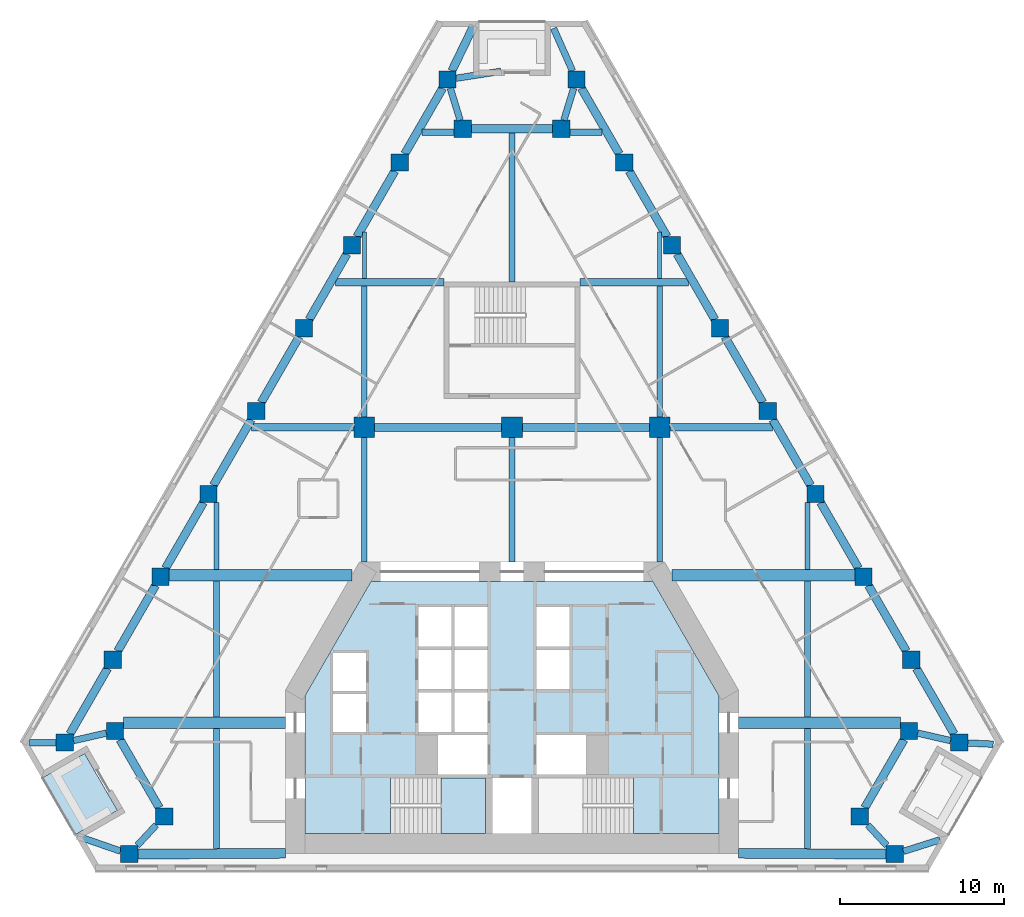
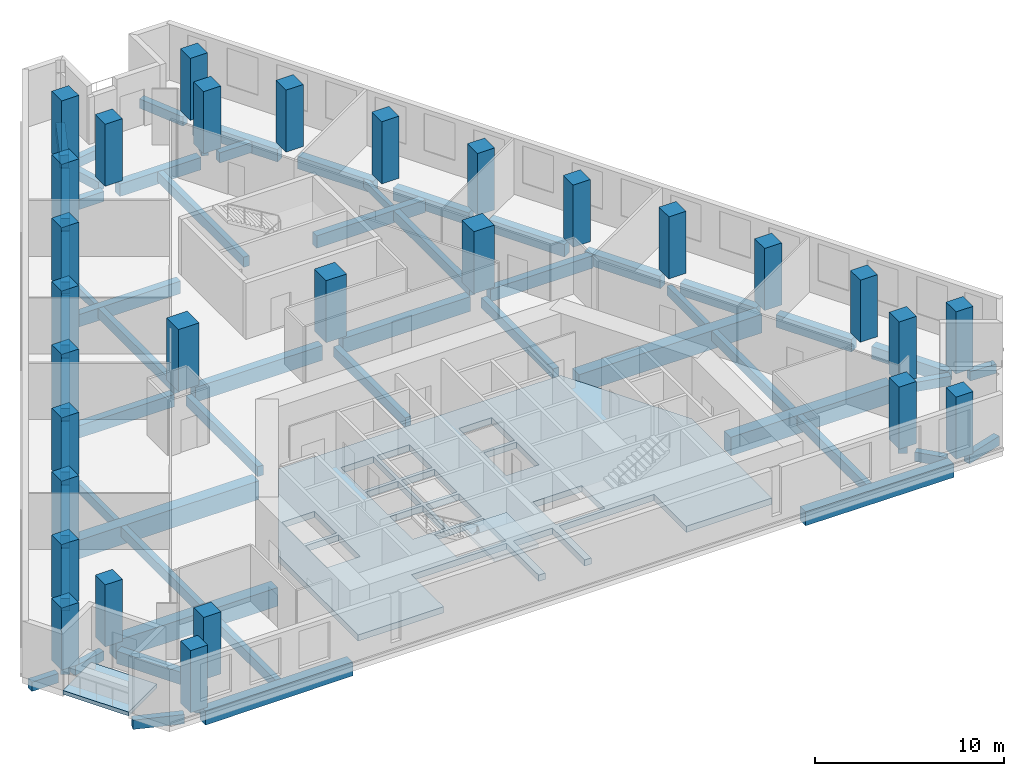
# One storey, part 1 of 10: 60 beams, 29 columns, 3 slabs, 1 element without a shape of its own.
"""IFC4 building model written with IfcOpenShell, lengths in metres."""

from ifc_helpers import new_model, si_unit, direction, frame, origin, origin_2d, place, context, subcontext, project, spatial, polyline, rectangle, outline, extrude, material, layer, layer_set, material_profile, profile_set, type_object, element, aggregate, save


model = new_model("IFC4")

# Units and contexts
model_context = context("Model", 3, precision=1e-05, world=origin(), true_north=direction((0.0, 1.0)))
body_context = subcontext(model_context, "Body", "Model", "MODEL_VIEW")
ifc_project = project(units=[si_unit("LENGTHUNIT", "METRE"), si_unit("AREAUNIT", "SQUARE_METRE"), si_unit("VOLUMEUNIT", "CUBIC_METRE"), si_unit("PLANEANGLEUNIT", "RADIAN"), si_unit("MASSUNIT", "GRAM", prefix="KILO")], contexts=[model_context])

# Site, building, storey
site_placement = place(None, origin())
site = spatial("IfcSite", under=ifc_project, at=site_placement, CompositionType="ELEMENT")
building_placement = place(site_placement, origin())
building = spatial("IfcBuilding", under=site, at=building_placement, Name="Fogline Exchange Tower", CompositionType="ELEMENT")
storey_placement = place(building_placement, frame((0.0, 0.0, 128.10009765625)))
storey = spatial("IfcBuildingStorey", under=building, at=storey_placement, Name="L28", CompositionType="ELEMENT", Elevation=128.10009765625)

# Columns
ifc_material_1 = material(Name="Concrete C70", Category="concrete")
ifc_material_profile_1 = material_profile(ifc_material_1, rectangle(XDim=1.25, YDim=1.25, at=origin_2d()), Name="RC 1250x1250")
ifc_profile_set_1 = profile_set([ifc_material_profile_1], Name="Concrete C70")
column_type_1 = type_object("IfcColumnType", Name="C03", PredefinedType="COLUMN", material=ifc_profile_set_1)
for number, where, z_axis, x_axis, name in (
    (1, (-9.0, 27.0, 0.0), (0.0, 0.0, 1.0), (1.0, 0.0, 0.0), "IC--9-27"),
    (2, (0.0, 27.0, 0.0), (0.0, 0.0, 1.0), (1.0, 0.0, 0.0), "IC-0-27"),
    (3, (9.0, 27.0, 0.0), (0.0, 0.0, 1.0), (1.0, 0.0, 0.0), "IC-9-27"),
):
    element("IfcColumn", number, at=place(storey_placement, frame(where, z_axis=z_axis, x_axis=x_axis)), inside=storey, type_object=column_type_1, Name=name, PredefinedType="COLUMN", context=body_context, shape_type="SweptSolid", body=[
        extrude(rectangle(XDim=1.25, YDim=1.25, at=origin_2d()), origin(), (0.0, 0.0, 1.0), 4.0),
    ])
ifc_material_profile_2 = material_profile(ifc_material_1, rectangle(XDim=1.050048828125, YDim=1.050048828125, at=origin_2d()), Name="RC 1050x1050")
ifc_profile_set_2 = profile_set([ifc_material_profile_2], Name="Concrete C70")
column_type_2 = type_object("IfcColumnType", Name="C04", PredefinedType="COLUMN", material=ifc_profile_set_2)
for number, where, z_axis, x_axis, name in (
    (4, (-27.2490234375, 7.794189453125, 0.0), (0.0, 0.0, 1.0), (1.0, 0.0, 0.0), "SW-a"),
    (5, (-24.189697265625, 8.4951171875, 0.0), (0.0, 0.0, 1.0), (1.0, 0.0, 0.0), "SW-p4"),
    (6, (-21.189697265625, 3.299072265625, 0.0), (0.0, 0.0, 1.0), (1.0, 0.0, 0.0), "SW-p3"),
    (7, (-23.326416015625, 1.0, 0.0), (0.0, 0.0, 1.0), (1.0, 0.0, 0.0), "SW-b"),
    (8, (23.326416015625, 1.0, 0.0), (0.0, 0.0, 1.0), (1.0, 0.0, 0.0), "SE-a"),
    (9, (21.189697265625, 3.299072265625, 0.0), (0.0, 0.0, 1.0), (1.0, 0.0, 0.0), "SE-p4"),
    (10, (24.189697265625, 8.4951171875, 0.0), (0.0, 0.0, 1.0), (1.0, 0.0, 0.0), "SE-p3"),
    (11, (27.2490234375, 7.794189453125, 0.0), (0.0, 0.0, 1.0), (1.0, 0.0, 0.0), "SE-b"),
    (12, (24.333251953125, 12.844482421875, 0.0), (0.0, 0.0, 1.0), (1.0, 0.0, 0.0), "E1"),
    (13, (21.41748046875, 17.894775390625, 0.0), (0.0, 0.0, 1.0), (1.0, 0.0, 0.0), "E2"),
    (14, (18.501708984375, 22.945068359375, 0.0), (0.0, 0.0, 1.0), (1.0, 0.0, 0.0), "E3"),
    (15, (15.585693359375, 27.995361328125, 0.0), (0.0, 0.0, 1.0), (1.0, 0.0, 0.0), "E4"),
    (16, (12.669921875, 33.045654296875, 0.0), (0.0, 0.0, 1.0), (1.0, 0.0, 0.0), "E5"),
    (17, (9.754150390625, 38.095947265625, 0.0), (0.0, 0.0, 1.0), (1.0, 0.0, 0.0), "E6"),
    (18, (6.83837890625, 43.146240234375, 0.0), (0.0, 0.0, 1.0), (1.0, 0.0, 0.0), "E7"),
    (19, (3.922607421875, 48.19677734375, 0.0), (0.0, 0.0, 1.0), (1.0, 0.0, 0.0), "N-a"),
    (20, (3.0, 45.19677734375, 0.0), (0.0, 0.0, 1.0), (1.0, 0.0, 0.0), "N-p4"),
    (21, (-3.0, 45.19677734375, 0.0), (0.0, 0.0, 1.0), (1.0, 0.0, 0.0), "N-p3"),
    (22, (-3.922607421875, 48.19677734375, 0.0), (0.0, 0.0, 1.0), (1.0, 0.0, 0.0), "N-b"),
    (23, (-6.83837890625, 43.146240234375, 0.0), (0.0, 0.0, 1.0), (1.0, 0.0, 0.0), "W1"),
    (24, (-9.754150390625, 38.095947265625, 0.0), (0.0, 0.0, 1.0), (1.0, 0.0, 0.0), "W2"),
    (25, (-12.669921875, 33.045654296875, 0.0), (0.0, 0.0, 1.0), (1.0, 0.0, 0.0), "W3"),
    (26, (-15.585693359375, 27.995361328125, 0.0), (0.0, 0.0, 1.0), (1.0, 0.0, 0.0), "W4"),
    (27, (-18.501708984375, 22.945068359375, 0.0), (0.0, 0.0, 1.0), (1.0, 0.0, 0.0), "W5"),
    (28, (-21.41748046875, 17.894775390625, 0.0), (0.0, 0.0, 1.0), (1.0, 0.0, 0.0), "W6"),
    (29, (-24.333251953125, 12.844482421875, 0.0), (0.0, 0.0, 1.0), (1.0, 0.0, 0.0), "W7"),
):
    element("IfcColumn", number, at=place(storey_placement, frame(where, z_axis=z_axis, x_axis=x_axis)), inside=storey, type_object=column_type_2, Name=name, PredefinedType="COLUMN", context=body_context, shape_type="SweptSolid", body=[
        extrude(rectangle(XDim=1.050048828125, YDim=1.050048828125, at=origin_2d()), origin(), (0.0, 0.0, 1.0), 4.0),
    ])

# Beams
ifc_material_2 = material(Name="Concrete C40", Category="concrete")
ifc_material_profile_3 = material_profile(ifc_material_2, rectangle(XDim=0.300048828125, YDim=0.60009765625, at=origin_2d()), Name="RC 300x600")
ifc_profile_set_3 = profile_set([ifc_material_profile_3], Name="Concrete C40")
beam_type_1 = type_object("IfcBeamType", Name="B06", PredefinedType="BEAM", material=ifc_profile_set_3)
for number, where, z_axis, x_axis, name in (
    (30, (-18.0, 18.35009765625, -0.7001953125), (0.0, 1.0, 0.0), (-1.0, 0.0, 0.0), "SB003"),
    (31, (18.0, 18.35009765625, -0.7001953125), (0.0, 1.0, 0.0), (-1.0, 0.0, 0.0), "SB014"),
):
    element("IfcBeam", number, at=place(storey_placement, frame(where, z_axis=z_axis, x_axis=x_axis)), inside=storey, type_object=beam_type_1, Name=name, PredefinedType="BEAM", context=body_context, shape_type="SweptSolid", body=[
        extrude(rectangle(XDim=0.300048828125, YDim=0.60009765625, at=origin_2d()), origin(), (0.0, 0.0, 1.0), 4.070068359375),
    ])
ifc_material_profile_4 = material_profile(ifc_material_2, rectangle(XDim=0.25, YDim=0.5, at=origin_2d()), Name="RC 250x500")
ifc_profile_set_4 = profile_set([ifc_material_profile_4], Name="Concrete C40")
beam_type_2 = type_object("IfcBeamType", Name="B08", PredefinedType="BEAM", material=ifc_profile_set_4)
for number, where, z_axis, x_axis, name in (
    (32, (-9.0, 36.08203125, -0.650146484375), (0.0, 1.0, 0.0), (-1.0, 0.0, 0.0), "SB006"),
    (33, (9.0, 36.08203125, -0.650146484375), (0.0, 1.0, 0.0), (-1.0, 0.0, 0.0), "SB011"),
):
    element("IfcBeam", number, at=place(storey_placement, frame(where, z_axis=z_axis, x_axis=x_axis)), inside=storey, type_object=beam_type_2, Name=name, PredefinedType="BEAM", context=body_context, shape_type="SweptSolid", body=[
        extrude(rectangle(XDim=0.25, YDim=0.5, at=origin_2d()), origin(), (0.0, 0.0, 1.0), 2.8203125),
    ])
ifc_material_profile_5 = material_profile(ifc_material_2, rectangle(XDim=0.60009765625, YDim=0.89990234375, at=origin_2d()), Name="RC 600x900")
ifc_profile_set_5 = profile_set([ifc_material_profile_5], Name="Concrete C40")
beam_type_3 = type_object("IfcBeamType", Name="B09", PredefinedType="BEAM", material=ifc_profile_set_5)
for number, where, z_axis, x_axis, name in (
    (34, (-22.801513671875, 1.0, -0.85009765625), (0.999984543136, 0.005559990001, 0.0), (-0.005559990001, 0.999984543136, 0.0), "RB004"),
    (35, (13.800048828125, 1.050048828125, -0.85009765625), (0.999984543136, -0.005559990001, 0.0), (0.005559990001, 0.999984543136, 0.0), "RB005"),
):
    element("IfcBeam", number, at=place(storey_placement, frame(where, z_axis=z_axis, x_axis=x_axis)), inside=storey, type_object=beam_type_3, Name=name, PredefinedType="BEAM", context=body_context, shape_type="SweptSolid", body=[
        extrude(rectangle(XDim=0.60009765625, YDim=0.89990234375, at=origin_2d()), origin(), (0.0, 0.0, 1.0), 9.001708984375),
    ])
ifc_material_profile_6 = material_profile(ifc_material_2, rectangle(XDim=0.5, YDim=0.800048828125, at=origin_2d()), Name="RC 500x800")
ifc_profile_set_6 = profile_set([ifc_material_profile_6], Name="Concrete C40")
beam_type_4 = type_object("IfcBeamType", Name="B10", PredefinedType="BEAM", material=ifc_profile_set_6)
for number, where, z_axis, x_axis, name in (
    (36, (-23.886474609375, 7.97021484375, -0.800048828125), (0.499994660107, -0.866028486751, 0.0), (0.866028486751, 0.499994660107, 0.0), "RB002"),
    (37, (21.49267578125, 3.823974609375, -0.800048828125), (0.499994660107, 0.866028486751, 0.0), (-0.866028486751, 0.499994660107, 0.0), "RB007"),
):
    element("IfcBeam", number, at=place(storey_placement, frame(where, z_axis=z_axis, x_axis=x_axis)), inside=storey, type_object=beam_type_4, Name=name, PredefinedType="BEAM", context=body_context, shape_type="SweptSolid", body=[
        extrude(rectangle(XDim=0.5, YDim=0.800048828125, at=origin_2d()), origin(), (0.0, 0.0, 1.0), 4.78759765625),
    ])
for number, where, z_axis, x_axis, name in (
    (38, (26.94580078125, 8.319091796875, -0.800048828125), (-0.499981705991, 0.866035965578, 0.0), (-0.866035965578, -0.499981705991, 0.0), "RB009"),
    (39, (24.030029296875, 13.369384765625, -0.800048828125), (-0.499981705991, 0.866035965578, 0.0), (-0.866035965578, -0.499981705991, 0.0), "RB010"),
):
    element("IfcBeam", number, at=place(storey_placement, frame(where, z_axis=z_axis, x_axis=x_axis)), inside=storey, type_object=beam_type_4, Name=name, PredefinedType="BEAM", context=body_context, shape_type="SweptSolid", body=[
        extrude(rectangle(XDim=0.5, YDim=0.800048828125, at=origin_2d()), origin(), (0.0, 0.0, 1.0), 4.619384765625),
    ])
for number, where, z_axis, x_axis, name in (
    (40, (21.1142578125, 18.419921875, -0.800048828125), (-0.500004591975, 0.86602275259, 0.0), (-0.86602275259, -0.500004591975, 0.0), "RB011"),
    (41, (18.198486328125, 23.47021484375, -0.800048828125), (-0.500004591975, 0.86602275259, 0.0), (-0.86602275259, -0.500004591975, 0.0), "RB012"),
    (42, (15.28271484375, 28.5205078125, -0.800048828125), (-0.500004591975, 0.86602275259, 0.0), (-0.86602275259, -0.500004591975, 0.0), "RB013"),
    (43, (12.366943359375, 33.57080078125, -0.800048828125), (-0.500004591975, 0.86602275259, 0.0), (-0.86602275259, -0.500004591975, 0.0), "RB014"),
    (44, (9.451171875, 38.62109375, -0.800048828125), (-0.500004591975, 0.86602275259, 0.0), (-0.86602275259, -0.500004591975, 0.0), "RB015"),
    (45, (6.535400390625, 43.67138671875, -0.800048828125), (-0.500004591975, 0.86602275259, 0.0), (-0.86602275259, -0.500004591975, 0.0), "RB016"),
):
    element("IfcBeam", number, at=place(storey_placement, frame(where, z_axis=z_axis, x_axis=x_axis)), inside=storey, type_object=beam_type_4, Name=name, PredefinedType="BEAM", context=body_context, shape_type="SweptSolid", body=[
        extrude(rectangle(XDim=0.5, YDim=0.800048828125, at=origin_2d()), origin(), (0.0, 0.0, 1.0), 4.619140625),
    ])
beam_1_placement = place(storey_placement, frame((2.47509765625, 45.19677734375, -0.800048828125), z_axis=(-1.0, 0.0, 0.0), x_axis=(0.0, -1.0, 0.0)))
element("IfcBeam", 46, at=beam_1_placement, inside=storey, type_object=beam_type_4, Name="RB018", PredefinedType="BEAM", context=body_context, shape_type="SweptSolid", body=[
    extrude(rectangle(XDim=0.5, YDim=0.800048828125, at=origin_2d()), origin(), (0.0, 0.0, 1.0), 4.9501953125),
])
for number, where, z_axis, x_axis, name in (
    (47, (-4.225830078125, 47.671630859375, -0.800048828125), (-0.500004591975, -0.86602275259, 0.0), (0.86602275259, -0.500004591975, 0.0), "RB020"),
    (48, (-7.1416015625, 42.621337890625, -0.800048828125), (-0.500004591975, -0.86602275259, 0.0), (0.86602275259, -0.500004591975, 0.0), "RB021"),
    (49, (-10.057373046875, 37.571044921875, -0.800048828125), (-0.500004591975, -0.86602275259, 0.0), (0.86602275259, -0.500004591975, 0.0), "RB022"),
    (50, (-12.97314453125, 32.520751953125, -0.800048828125), (-0.500004591975, -0.86602275259, 0.0), (0.86602275259, -0.500004591975, 0.0), "RB023"),
    (51, (-15.888916015625, 27.470458984375, -0.800048828125), (-0.500004591975, -0.86602275259, 0.0), (0.86602275259, -0.500004591975, 0.0), "RB024"),
    (52, (-18.8046875, 22.420166015625, -0.800048828125), (-0.500004591975, -0.86602275259, 0.0), (0.86602275259, -0.500004591975, 0.0), "RB025"),
):
    element("IfcBeam", number, at=place(storey_placement, frame(where, z_axis=z_axis, x_axis=x_axis)), inside=storey, type_object=beam_type_4, Name=name, PredefinedType="BEAM", context=body_context, shape_type="SweptSolid", body=[
        extrude(rectangle(XDim=0.5, YDim=0.800048828125, at=origin_2d()), origin(), (0.0, 0.0, 1.0), 4.619140625),
    ])
for number, where, z_axis, x_axis, name in (
    (53, (-21.720458984375, 17.369873046875, -0.800048828125), (-0.499981705991, -0.866035965578, 0.0), (0.866035965578, -0.499981705991, 0.0), "RB026"),
    (54, (-24.63623046875, 12.319580078125, -0.800048828125), (-0.499981705991, -0.866035965578, 0.0), (0.866035965578, -0.499981705991, 0.0), "RB027"),
):
    element("IfcBeam", number, at=place(storey_placement, frame(where, z_axis=z_axis, x_axis=x_axis)), inside=storey, type_object=beam_type_4, Name=name, PredefinedType="BEAM", context=body_context, shape_type="SweptSolid", body=[
        extrude(rectangle(XDim=0.5, YDim=0.800048828125, at=origin_2d()), origin(), (0.0, 0.0, 1.0), 4.619384765625),
    ])
beam_2_placement = place(storey_placement, frame((-3.66845703125, 48.7216796875, -0.800048828125), z_axis=(0.435646731916, 0.900117728395, 0.0), x_axis=(-0.900117728395, 0.435646731916, 0.0)))
element("IfcBeam", 55, at=beam_2_placement, inside=storey, type_object=beam_type_4, Name="SP028", PredefinedType="BEAM", context=body_context, shape_type="SweptSolid", body=[
    extrude(rectangle(XDim=0.5, YDim=0.800048828125, at=origin_2d()), origin(), (0.0, 0.0, 1.0), 3.049072265625),
])
ifc_material_profile_7 = material_profile(ifc_material_2, rectangle(XDim=0.39990234375, YDim=0.60009765625, at=origin_2d()), Name="RC 400x600")
ifc_profile_set_7 = profile_set([ifc_material_profile_7], Name="Concrete C40")
beam_type_5 = type_object("IfcBeamType", Name="B11", PredefinedType="BEAM", material=ifc_profile_set_7)
beam_3_placement = place(storey_placement, frame((-26.72412109375, 7.91455078125, -0.7001953125), z_axis=(0.974739301343, 0.223345683676, 0.0), x_axis=(-0.223345683676, 0.974739301343, 0.0)))
element("IfcBeam", 56, at=beam_3_placement, inside=storey, type_object=beam_type_5, Name="RB001", PredefinedType="BEAM", context=body_context, shape_type="SweptSolid", body=[
    extrude(rectangle(XDim=0.39990234375, YDim=0.60009765625, at=origin_2d()), origin(), (0.0, 0.0, 1.0), 2.0615234375),
])
for number, where, z_axis, x_axis, name in (
    (57, (-21.677490234375, 2.77392578125, -0.7001953125), (-0.680791505026, -0.732477253357, 0.0), (0.732477253357, -0.680791505026, 0.0), "RB003"),
    (58, (22.83837890625, 1.52490234375, -0.7001953125), (-0.680791505026, 0.732477253357, 0.0), (-0.732477253357, -0.680791505026, 0.0), "RB006"),
):
    element("IfcBeam", number, at=place(storey_placement, frame(where, z_axis=z_axis, x_axis=x_axis)), inside=storey, type_object=beam_type_5, Name=name, PredefinedType="BEAM", context=body_context, shape_type="SweptSolid", body=[
        extrude(rectangle(XDim=0.39990234375, YDim=0.60009765625, at=origin_2d()), origin(), (0.0, 0.0, 1.0), 1.705322265625),
    ])
beam_4_placement = place(storey_placement, frame((24.714599609375, 8.375, -0.7001953125), z_axis=(0.974739301343, -0.223345683676, 0.0), x_axis=(0.223345683676, 0.974739301343, 0.0)))
element("IfcBeam", 59, at=beam_4_placement, inside=storey, type_object=beam_type_5, Name="RB008", PredefinedType="BEAM", context=body_context, shape_type="SweptSolid", body=[
    extrude(rectangle(XDim=0.39990234375, YDim=0.60009765625, at=origin_2d()), origin(), (0.0, 0.0, 1.0), 2.0615234375),
])
for number, where, z_axis, x_axis, name in (
    (60, (3.76123046875, 47.671630859375, -0.7001953125), (-0.293917654764, -0.955830744545, 0.0), (0.955830744545, -0.293917654764, 0.0), "RB017"),
    (61, (-3.16162109375, 45.7216796875, -0.7001953125), (-0.293917654764, 0.955830744545, 0.0), (-0.955830744545, -0.293917654764, 0.0), "RB019"),
):
    element("IfcBeam", number, at=place(storey_placement, frame(where, z_axis=z_axis, x_axis=x_axis)), inside=storey, type_object=beam_type_5, Name=name, PredefinedType="BEAM", context=body_context, shape_type="SweptSolid", body=[
        extrude(rectangle(XDim=0.39990234375, YDim=0.60009765625, at=origin_2d()), origin(), (0.0, 0.0, 1.0), 2.0400390625),
    ])
beam_5_placement = place(storey_placement, frame((3.68896484375, 48.7216796875, -0.7001953125), z_axis=(-0.40658448242, 0.913613188749, 0.0), x_axis=(-0.913613188749, -0.40658448242, 0.0)))
element("IfcBeam", 62, at=beam_5_placement, inside=storey, type_object=beam_type_5, Name="SP029", PredefinedType="BEAM", context=body_context, shape_type="SweptSolid", body=[
    extrude(rectangle(XDim=0.39990234375, YDim=0.60009765625, at=origin_2d()), origin(), (0.0, 0.0, 1.0), 2.84375),
])
beam_6_placement = place(storey_placement, frame((-23.851318359375, 1.181884765625, -0.7001953125), z_axis=(-0.944879115194, 0.327419391102, 0.0), x_axis=(-0.327419391102, -0.944879115194, 0.0)))
element("IfcBeam", 63, at=beam_6_placement, inside=storey, type_object=beam_type_5, Name="SP030", PredefinedType="BEAM", context=body_context, shape_type="SweptSolid", body=[
    extrude(rectangle(XDim=0.39990234375, YDim=0.60009765625, at=origin_2d()), origin(), (0.0, 0.0, 1.0), 2.769287109375),
])
beam_7_placement = place(storey_placement, frame((23.851318359375, 1.166259765625, -0.7001953125), z_axis=(0.953366709253, 0.301814376211, 0.0), x_axis=(-0.301814376211, 0.953366709253, 0.0)))
element("IfcBeam", 64, at=beam_7_placement, inside=storey, type_object=beam_type_5, Name="SP031", PredefinedType="BEAM", context=body_context, shape_type="SweptSolid", body=[
    extrude(rectangle(XDim=0.39990234375, YDim=0.60009765625, at=origin_2d()), origin(), (0.0, 0.0, 1.0), 2.343505859375),
])
beam_8_placement = place(storey_placement, frame((-3.397705078125, 48.278076171875, -0.7001953125), z_axis=(0.988195883349, 0.153195613943, 0.0), x_axis=(-0.153195613943, 0.988195883349, 0.0)))
element("IfcBeam", 65, at=beam_8_placement, inside=storey, type_object=beam_type_5, Name="SP032", PredefinedType="BEAM", context=body_context, shape_type="SweptSolid", body=[
    extrude(rectangle(XDim=0.39990234375, YDim=0.60009765625, at=origin_2d()), origin(), (0.0, 0.0, 1.0), 2.75537109375),
])
beam_9_placement = place(storey_placement, frame((-27.77392578125, 7.794189453125, -0.7001953125), z_axis=(-1.0, 0.0, 0.0), x_axis=(0.0, -1.0, 0.0)))
element("IfcBeam", 66, at=beam_9_placement, inside=storey, type_object=beam_type_5, Name="SP033", PredefinedType="BEAM", context=body_context, shape_type="SweptSolid", body=[
    extrude(rectangle(XDim=0.39990234375, YDim=0.60009765625, at=origin_2d()), origin(), (0.0, 0.0, 1.0), 1.619384765625),
])
beam_10_placement = place(storey_placement, frame((27.77392578125, 7.76953125, -0.7001953125), z_axis=(0.99890029797, -0.046884909245, 0.0), x_axis=(0.046884909245, 0.99890029797, 0.0)))
element("IfcBeam", 67, at=beam_10_placement, inside=storey, type_object=beam_type_5, Name="SP034", PredefinedType="BEAM", context=body_context, shape_type="SweptSolid", body=[
    extrude(rectangle(XDim=0.39990234375, YDim=0.60009765625, at=origin_2d()), origin(), (0.0, 0.0, 1.0), 1.5517578125),
])
ifc_material_profile_8 = material_profile(ifc_material_2, rectangle(XDim=0.39990234375, YDim=0.64990234375, at=origin_2d()), Name="RC 400x650")
ifc_profile_set_8 = profile_set([ifc_material_profile_8], Name="Concrete C40")
beam_type_6 = type_object("IfcBeamType", Name="B13", PredefinedType="BEAM", material=ifc_profile_set_8)
for number, where, z_axis, x_axis, name in (
    (68, (-5.4794921875, 45.0, -0.72509765625), (1.0, 0.0, 0.0), (0.0, 1.0, 0.0), "GB011"),
    (69, (3.52490234375, 45.0, -0.72509765625), (1.0, 0.0, 0.0), (0.0, 1.0, 0.0), "GB012"),
):
    element("IfcBeam", number, at=place(storey_placement, frame(where, z_axis=z_axis, x_axis=x_axis)), inside=storey, type_object=beam_type_6, Name=name, PredefinedType="BEAM", context=body_context, shape_type="SweptSolid", body=[
        extrude(rectangle(XDim=0.39990234375, YDim=0.64990234375, at=origin_2d()), origin(), (0.0, 0.0, 1.0), 1.95458984375),
    ])
ifc_material_profile_9 = material_profile(ifc_material_2, rectangle(XDim=0.5, YDim=0.949951171875, at=origin_2d()), Name="RC 500x950")
ifc_profile_set_9 = profile_set([ifc_material_profile_9], Name="Concrete C40")
beam_type_7 = type_object("IfcBeamType", Name="B14", PredefinedType="BEAM", material=ifc_profile_set_9)
for number, where, z_axis, x_axis, name in (
    (70, (-8.375, 27.0, -0.875), (1.0, 0.0, 0.0), (0.0, 1.0, 0.0), "GB006"),
    (71, (0.625, 27.0, -0.875), (1.0, 0.0, 0.0), (0.0, 1.0, 0.0), "GB007"),
):
    element("IfcBeam", number, at=place(storey_placement, frame(where, z_axis=z_axis, x_axis=x_axis)), inside=storey, type_object=beam_type_7, Name=name, PredefinedType="BEAM", context=body_context, shape_type="SweptSolid", body=[
        extrude(rectangle(XDim=0.5, YDim=0.949951171875, at=origin_2d()), origin(), (0.0, 0.0, 1.0), 7.75),
    ])
ifc_material_profile_10 = material_profile(ifc_material_2, rectangle(XDim=0.35009765625, YDim=0.64990234375, at=origin_2d()), Name="RC 350x650")
ifc_profile_set_10 = profile_set([ifc_material_profile_10], Name="Concrete C40")
beam_type_8 = type_object("IfcBeamType", Name="B16", PredefinedType="BEAM", material=ifc_profile_set_10)
beam_11_placement = place(storey_placement, frame((-18.0, 1.327880859375, -0.72509765625), z_axis=(0.0, 1.0, 0.0), x_axis=(-1.0, 0.0, 0.0)))
element("IfcBeam", 72, at=beam_11_placement, inside=storey, type_object=beam_type_8, Name="SB001", PredefinedType="BEAM", context=body_context, shape_type="SweptSolid", body=[
    extrude(rectangle(XDim=0.35009765625, YDim=0.64990234375, at=origin_2d()), origin(), (0.0, 0.0, 1.0), 7.322021484375),
])
beam_12_placement = place(storey_placement, frame((-18.0, 9.35009765625, -0.72509765625), z_axis=(0.0, 1.0, 0.0), x_axis=(-1.0, 0.0, 0.0)))
element("IfcBeam", 73, at=beam_12_placement, inside=storey, type_object=beam_type_8, Name="SB002", PredefinedType="BEAM", context=body_context, shape_type="SweptSolid", body=[
    extrude(rectangle(XDim=0.35009765625, YDim=0.64990234375, at=origin_2d()), origin(), (0.0, 0.0, 1.0), 8.2998046875),
])
beam_13_placement = place(storey_placement, frame((-9.0, 18.800048828125, -0.72509765625), z_axis=(0.0, 1.0, 0.0), x_axis=(-1.0, 0.0, 0.0)))
element("IfcBeam", 74, at=beam_13_placement, inside=storey, type_object=beam_type_8, Name="SB004", PredefinedType="BEAM", context=body_context, shape_type="SweptSolid", body=[
    extrude(rectangle(XDim=0.35009765625, YDim=0.64990234375, at=origin_2d()), origin(), (0.0, 0.0, 1.0), 7.574951171875),
])
beam_14_placement = place(storey_placement, frame((-9.0, 27.625, -0.72509765625), z_axis=(0.0, 1.0, 0.0), x_axis=(-1.0, 0.0, 0.0)))
element("IfcBeam", 75, at=beam_14_placement, inside=storey, type_object=beam_type_8, Name="SB005", PredefinedType="BEAM", context=body_context, shape_type="SweptSolid", body=[
    extrude(rectangle(XDim=0.35009765625, YDim=0.64990234375, at=origin_2d()), origin(), (0.0, 0.0, 1.0), 8.007080078125),
])
beam_15_placement = place(storey_placement, frame((0.0, 18.800048828125, -0.72509765625), z_axis=(0.0, 1.0, 0.0), x_axis=(-1.0, 0.0, 0.0)))
element("IfcBeam", 76, at=beam_15_placement, inside=storey, type_object=beam_type_8, Name="SB007", PredefinedType="BEAM", context=body_context, shape_type="SweptSolid", body=[
    extrude(rectangle(XDim=0.35009765625, YDim=0.64990234375, at=origin_2d()), origin(), (0.0, 0.0, 1.0), 7.574951171875),
])
beam_16_placement = place(storey_placement, frame((0.0, 35.85693359375, -0.72509765625), z_axis=(0.0, 1.0, 0.0), x_axis=(-1.0, 0.0, 0.0)))
element("IfcBeam", 77, at=beam_16_placement, inside=storey, type_object=beam_type_8, Name="SB008", PredefinedType="BEAM", context=body_context, shape_type="SweptSolid", body=[
    extrude(rectangle(XDim=0.35009765625, YDim=0.64990234375, at=origin_2d()), origin(), (0.0, 0.0, 1.0), 9.08984375),
])
beam_17_placement = place(storey_placement, frame((9.0, 18.800048828125, -0.72509765625), z_axis=(0.0, 1.0, 0.0), x_axis=(-1.0, 0.0, 0.0)))
element("IfcBeam", 78, at=beam_17_placement, inside=storey, type_object=beam_type_8, Name="SB009", PredefinedType="BEAM", context=body_context, shape_type="SweptSolid", body=[
    extrude(rectangle(XDim=0.35009765625, YDim=0.64990234375, at=origin_2d()), origin(), (0.0, 0.0, 1.0), 7.574951171875),
])
beam_18_placement = place(storey_placement, frame((9.0, 27.625, -0.72509765625), z_axis=(0.0, 1.0, 0.0), x_axis=(-1.0, 0.0, 0.0)))
element("IfcBeam", 79, at=beam_18_placement, inside=storey, type_object=beam_type_8, Name="SB010", PredefinedType="BEAM", context=body_context, shape_type="SweptSolid", body=[
    extrude(rectangle(XDim=0.35009765625, YDim=0.64990234375, at=origin_2d()), origin(), (0.0, 0.0, 1.0), 8.007080078125),
])
beam_19_placement = place(storey_placement, frame((18.0, 1.327880859375, -0.72509765625), z_axis=(0.0, 1.0, 0.0), x_axis=(-1.0, 0.0, 0.0)))
element("IfcBeam", 80, at=beam_19_placement, inside=storey, type_object=beam_type_8, Name="SB012", PredefinedType="BEAM", context=body_context, shape_type="SweptSolid", body=[
    extrude(rectangle(XDim=0.35009765625, YDim=0.64990234375, at=origin_2d()), origin(), (0.0, 0.0, 1.0), 7.322021484375),
])
beam_20_placement = place(storey_placement, frame((18.0, 9.35009765625, -0.72509765625), z_axis=(0.0, 1.0, 0.0), x_axis=(-1.0, 0.0, 0.0)))
element("IfcBeam", 81, at=beam_20_placement, inside=storey, type_object=beam_type_8, Name="SB013", PredefinedType="BEAM", context=body_context, shape_type="SweptSolid", body=[
    extrude(rectangle(XDim=0.35009765625, YDim=0.64990234375, at=origin_2d()), origin(), (0.0, 0.0, 1.0), 8.2998046875),
])
ifc_material_profile_11 = material_profile(ifc_material_2, rectangle(XDim=0.699951171875, YDim=1.199951171875, at=origin_2d()), Name="RC 700x1200")
ifc_profile_set_11 = profile_set([ifc_material_profile_11], Name="Concrete C40")
beam_type_9 = type_object("IfcBeamType", Name="B17", PredefinedType="BEAM", material=ifc_profile_set_11)
for number, where, z_axis, x_axis, name in (
    (82, (-23.66455078125, 9.0, -1.0), (1.0, 0.0, 0.0), (0.0, 1.0, 0.0), "GB001"),
    (83, (13.800048828125, 9.0, -1.0), (1.0, 0.0, 0.0), (0.0, 1.0, 0.0), "GB002"),
):
    element("IfcBeam", number, at=place(storey_placement, frame(where, z_axis=z_axis, x_axis=x_axis)), inside=storey, type_object=beam_type_9, Name=name, PredefinedType="BEAM", context=body_context, shape_type="SweptSolid", body=[
        extrude(rectangle(XDim=0.699951171875, YDim=1.199951171875, at=origin_2d()), origin(), (0.0, 0.0, 1.0), 9.864501953125),
    ])
for number, where, z_axis, x_axis, name in (
    (84, (-20.892333984375, 18.0, -1.0), (1.0, 0.0, 0.0), (0.0, 1.0, 0.0), "GB003"),
    (85, (9.758056640625, 18.0, -1.0), (1.0, 0.0, 0.0), (0.0, 1.0, 0.0), "GB004"),
):
    element("IfcBeam", number, at=place(storey_placement, frame(where, z_axis=z_axis, x_axis=x_axis)), inside=storey, type_object=beam_type_9, Name=name, PredefinedType="BEAM", context=body_context, shape_type="SweptSolid", body=[
        extrude(rectangle(XDim=0.699951171875, YDim=1.199951171875, at=origin_2d()), origin(), (0.0, 0.0, 1.0), 11.13427734375),
    ])
ifc_material_profile_12 = material_profile(ifc_material_2, rectangle(XDim=0.449951171875, YDim=0.800048828125, at=origin_2d()), Name="RC 450x800")
ifc_profile_set_12 = profile_set([ifc_material_profile_12], Name="Concrete C40")
beam_type_10 = type_object("IfcBeamType", Name="B18", PredefinedType="BEAM", material=ifc_profile_set_12)
for number, where, z_axis, x_axis, name in (
    (86, (-15.871826171875, 27.0, -0.800048828125), (1.0, 0.0, 0.0), (0.0, 1.0, 0.0), "GB005"),
    (87, (9.625, 27.0, -0.800048828125), (1.0, 0.0, 0.0), (0.0, 1.0, 0.0), "GB008"),
):
    element("IfcBeam", number, at=place(storey_placement, frame(where, z_axis=z_axis, x_axis=x_axis)), inside=storey, type_object=beam_type_10, Name=name, PredefinedType="BEAM", context=body_context, shape_type="SweptSolid", body=[
        extrude(rectangle(XDim=0.449951171875, YDim=0.800048828125, at=origin_2d()), origin(), (0.0, 0.0, 1.0), 6.246826171875),
    ])
for number, where, z_axis, x_axis, name in (
    (88, (-10.75830078125, 35.85693359375, -0.800048828125), (1.0, 0.0, 0.0), (0.0, 1.0, 0.0), "GB009"),
    (89, (4.14990234375, 35.85693359375, -0.800048828125), (1.0, 0.0, 0.0), (0.0, 1.0, 0.0), "GB010"),
):
    element("IfcBeam", number, at=place(storey_placement, frame(where, z_axis=z_axis, x_axis=x_axis)), inside=storey, type_object=beam_type_10, Name=name, PredefinedType="BEAM", context=body_context, shape_type="SweptSolid", body=[
        extrude(rectangle(XDim=0.449951171875, YDim=0.800048828125, at=origin_2d()), origin(), (0.0, 0.0, 1.0), 6.6083984375),
    ])

# Slabs
ifc_layer_1 = layer(ifc_material_2, 0.25)
ifc_layer_set_1 = layer_set([ifc_layer_1], Name="DK1")
slab_type_1 = type_object("IfcSlabType", Name="DK1", PredefinedType="FLOOR", material=ifc_layer_set_1)
slab_1_placement = place(storey_placement, frame((0.0, 0.0, -0.25)))
element("IfcSlab", 90, at=slab_1_placement, inside=storey, type_object=slab_type_1, Name="Balcony L28 SW", PredefinedType="FLOOR", context=body_context, shape_type="SweptSolid", body=[
    extrude(outline(polyline([(-28.643310546875, 5.629150390625), (-26.643310546875, 2.1650390625), (-24.045166015625, 3.6650390625), (-26.045166015625, 7.129150390625), (-28.643310546875, 5.629150390625)])), origin(), (0.0, 0.0, 1.0), 0.25),
])
ifc_layer_2 = layer(ifc_material_2, 0.39990234375)
ifc_layer_set_2 = layer_set([ifc_layer_2], Name="S03")
slab_type_2 = type_object("IfcSlabType", Name="S03", PredefinedType="FLOOR", material=ifc_layer_set_2)
slab_2_placement = place(storey_placement, frame((0.0, 0.0, -0.400146484375)))
element("IfcSlab", 91, at=slab_2_placement, inside=storey, type_object=slab_type_2, Name="Core floor slab", PredefinedType="FLOOR", context=body_context, shape_type="SweptSolid", body=[
    extrude(outline(polyline([(-12.60009765625, 2.25), (-12.60009765625, 10.677490234375), (-8.603271484375, 17.60009765625), (8.603271484375, 17.60009765625), (12.60009765625, 10.677490234375), (12.60009765625, 2.25), (7.389892578125, 2.25), (7.389892578125, 5.64990234375), (1.60009765625, 5.64990234375), (1.60009765625, 2.25), (1.199951171875, 2.25), (1.199951171875, 5.64990234375), (-1.199951171875, 5.64990234375), (-1.199951171875, 2.25), (-1.60009765625, 2.25), (-1.60009765625, 5.64990234375), (-7.389892578125, 5.64990234375), (-7.389892578125, 2.25), (-12.60009765625, 2.25)]), holes=[polyline([(-1.5, 8.25), (-4.5, 8.25), (-4.5, 5.85009765625), (-1.5, 5.85009765625), (-1.5, 8.25)]), polyline([(-8.89990234375, 10.75), (-10.89990234375, 10.75), (-10.89990234375, 8.449951171875), (-8.89990234375, 8.449951171875), (-8.89990234375, 10.75)]), polyline([(-3.699951171875, 10.85009765625), (-5.699951171875, 10.85009765625), (-5.699951171875, 8.449951171875), (-3.699951171875, 8.449951171875), (-3.699951171875, 10.85009765625)]), polyline([(-1.5, 10.85009765625), (-3.5, 10.85009765625), (-3.5, 8.449951171875), (-1.5, 8.449951171875), (-1.5, 10.85009765625)]), polyline([(-8.89990234375, 13.25), (-10.89990234375, 13.25), (-10.89990234375, 10.949951171875), (-8.89990234375, 10.949951171875), (-8.89990234375, 13.25)]), polyline([(-3.699951171875, 13.449951171875), (-5.699951171875, 13.449951171875), (-5.699951171875, 11.050048828125), (-3.699951171875, 11.050048828125), (-3.699951171875, 13.449951171875)]), polyline([(-3.699951171875, 16.050048828125), (-5.699951171875, 16.050048828125), (-5.699951171875, 13.64990234375), (-3.699951171875, 13.64990234375), (-3.699951171875, 16.050048828125)]), polyline([(4.5, 8.25), (1.5, 8.25), (1.5, 5.85009765625), (4.5, 5.85009765625), (4.5, 8.25)]), polyline([(-1.5, 13.449951171875), (-3.5, 13.449951171875), (-3.5, 11.050048828125), (-1.5, 11.050048828125), (-1.5, 13.449951171875)]), polyline([(3.5, 13.449951171875), (1.5, 13.449951171875), (1.5, 11.050048828125), (3.5, 11.050048828125), (3.5, 13.449951171875)]), polyline([(-1.5, 16.050048828125), (-3.5, 16.050048828125), (-3.5, 13.64990234375), (-1.5, 13.64990234375), (-1.5, 16.050048828125)]), polyline([(3.5, 16.050048828125), (1.5, 16.050048828125), (1.5, 13.64990234375), (3.5, 13.64990234375), (3.5, 16.050048828125)])]), origin(), (0.0, 0.0, 1.0), 0.400146484375),
])

# Stair, slab
stair_type = type_object("IfcStairType", Name="STR24-1667", PredefinedType="HALF_TURN_STAIR", material=ifc_material_2)
stair_placement = place(storey_placement, origin())
stair = element("IfcStair", 92, at=stair_placement, inside=storey, type_object=stair_type, Name="Stair ST1", PredefinedType="HALF_TURN_STAIR")
ifc_layer_3 = layer(ifc_material_2, 0.199951171875)
ifc_layer_set_3 = layer_set([ifc_layer_3], Name="SL200")
slab_type_3 = type_object("IfcSlabType", Name="SL200", PredefinedType="LANDING", material=ifc_layer_set_3)
slab_3_placement = place(storey_placement, frame((0.0, 0.0, 1.7998046875)))
slab_3 = element("IfcSlab", 93, at=slab_3_placement, type_object=slab_type_3, Name="ST1 landing 1", PredefinedType="LANDING", context=body_context, shape_type="SweptSolid", body=[
    extrude(outline(polyline([(-4.320068359375, 2.25), (-1.60009765625, 2.25), (-1.60009765625, 5.64990234375), (-4.320068359375, 5.64990234375), (-4.320068359375, 2.25)])), origin(), (0.0, 0.0, 1.0), 0.2001953125),
])
aggregate(stair, [slab_3])

save(model, "model.ifc")
